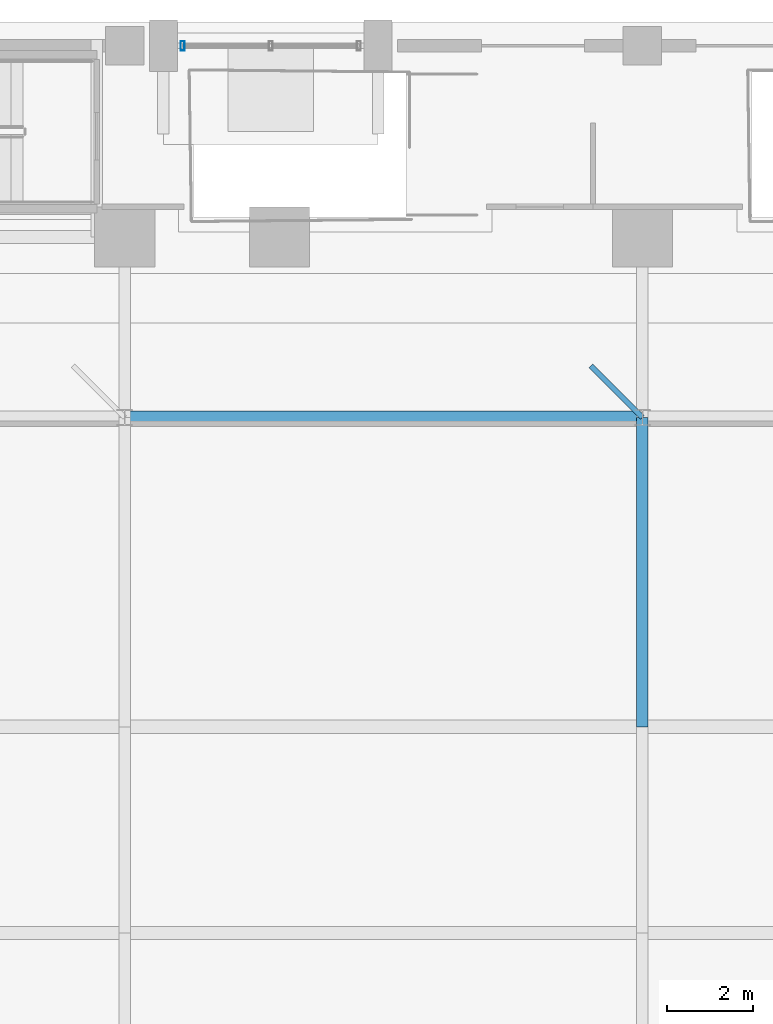
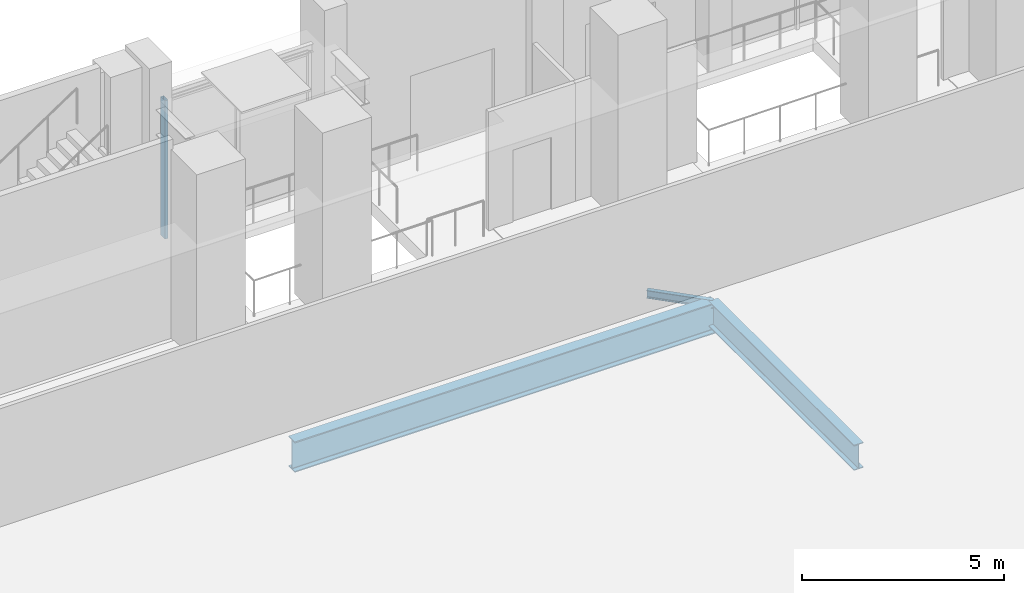
# One storey, part 11 of 36: 3 beams, 1 member, 1 element without a shape of its own.
"""IFC4 building model written with IfcOpenShell, lengths in metres."""

from ifc_helpers import new_model, si_unit, direction, frame, origin, origin_2d, place, context, subcontext, project, spatial, hollow_rectangle, i_section, extrude, material, layer, layer_set, material_profile, profile_set, type_object, element, aggregate, save


model = new_model("IFC4")

# Units and contexts
model_context = context("Model", 3, precision=1e-05, world=origin(), true_north=direction((0.0, 1.0)))
body_context = subcontext(model_context, "Body", "Model", "MODEL_VIEW")
ifc_project = project(units=[si_unit("LENGTHUNIT", "METRE"), si_unit("AREAUNIT", "SQUARE_METRE"), si_unit("VOLUMEUNIT", "CUBIC_METRE"), si_unit("PLANEANGLEUNIT", "RADIAN"), si_unit("MASSUNIT", "GRAM", prefix="KILO")], contexts=[model_context])

# Site, building, storey
site_placement = place(None, origin())
site = spatial("IfcSite", under=ifc_project, at=site_placement, CompositionType="ELEMENT")
building_placement = place(site_placement, origin())
building = spatial("IfcBuilding", under=site, at=building_placement, Name="Ndaravel Arena Tower", CompositionType="ELEMENT")
storey_placement = place(building_placement, origin())
storey = spatial("IfcBuildingStorey", under=building, at=storey_placement, Name="L00", CompositionType="ELEMENT", Elevation=0.0)

# Beams
ifc_material_1 = material(Name="Steel S355", Category="steel")
ifc_material_profile_1 = material_profile(ifc_material_1, i_section(OverallWidth=0.1201171875, OverallDepth=0.239990234375, WebThickness=0.006103515625, FlangeThickness=0.009765625, FilletRadius=0.014892578125, at=origin_2d()), Name="IPE 240")
ifc_profile_set_1 = profile_set([ifc_material_profile_1], Name="Steel S355")
beam_type_1 = type_object("IfcBeamType", Name="BM-LINTEL-IPE240", PredefinedType="LINTEL", material=ifc_profile_set_1)
beam_1_placement = place(storey_placement, frame((42.64990234375, 38.800048828125, -0.52001953125), z_axis=(-0.707106781187, 0.707106781187, 0.0), x_axis=(-0.707106781187, -0.707106781187, 0.0)))
element("IfcBeam", 1, at=beam_1_placement, inside=storey, type_object=beam_type_1, Name="L00 North Stand Cradle Arm 2", PredefinedType="LINTEL", context=body_context, shape_type="SweptSolid", body=[
    extrude(i_section(OverallWidth=0.1201171875, OverallDepth=0.239990234375, WebThickness=0.006103515625, FlangeThickness=0.009765625, FilletRadius=0.014892578125, at=origin_2d()), origin(), (0.0, 0.0, 1.0), 1.697021484375),
])
ifc_material_2 = material(Name="Steel S355", Category="steel")
ifc_material_profile_2 = material_profile(ifc_material_2, i_section(OverallWidth=0.26806640625, OverallDepth=0.769775390625, WebThickness=0.015625, FlangeThickness=0.025390625, FilletRadius=0.0166015625, at=origin_2d()), Name="UB 762x267x197")
ifc_profile_set_2 = profile_set([ifc_material_profile_2], Name="Steel S355")
beam_type_2 = type_object("IfcBeamType", Name="BM-POD-UB762", PredefinedType="BEAM", material=ifc_profile_set_2)
beam_2_placement = place(storey_placement, frame((42.64990234375, 31.60009765625, -0.784912109375), z_axis=(0.0, 1.0, 0.0), x_axis=(-1.0, 0.0, 0.0)))
element("IfcBeam", 2, at=beam_2_placement, inside=storey, type_object=beam_type_2, Name="L00 Sub-Court Tie 3.31", PredefinedType="BEAM", context=body_context, shape_type="SweptSolid", body=[
    extrude(i_section(OverallWidth=0.26806640625, OverallDepth=0.769775390625, WebThickness=0.015625, FlangeThickness=0.025390625, FilletRadius=0.0166015625, at=origin_2d()), origin(), (0.0, 0.0, 1.0), 7.199951171875),
])
ifc_material_3 = material(Name="Steel S355", Category="steel")
ifc_material_profile_3 = material_profile(ifc_material_3, i_section(OverallWidth=0.3076171875, OverallDepth=0.926513671875, WebThickness=0.01953125, FlangeThickness=0.031982421875, FilletRadius=0.01904296875, at=origin_2d()), Name="UB 914x305x289")
ifc_profile_set_3 = profile_set([ifc_material_profile_3], Name="Steel S355")
beam_type_3 = type_object("IfcBeamType", Name="BM-POD-UB914B", PredefinedType="BEAM", material=ifc_profile_set_3)
beam_3_placement = place(storey_placement, frame((30.60009765625, 38.800048828125, -0.86328125), z_axis=(1.0, 0.0, 0.0), x_axis=(0.0, 1.0, 0.0)))
element("IfcBeam", 3, at=beam_3_placement, inside=storey, type_object=beam_type_3, Name="L00 Sub-Court Girder 4.3", PredefinedType="BEAM", context=body_context, shape_type="SweptSolid", body=[
    extrude(i_section(OverallWidth=0.3076171875, OverallDepth=0.926513671875, WebThickness=0.01953125, FlangeThickness=0.031982421875, FilletRadius=0.01904296875, at=origin_2d()), origin(), (0.0, 0.0, 1.0), 12.0498046875),
])

# Curtain wall, member
ifc_material_4 = material(Name="Aluminium", Category="aluminium")
ifc_layer = layer(ifc_material_4, 0.179931640625)
ifc_layer_set = layer_set([ifc_layer], Name="Aluminium")
curtain_wall_type = type_object("IfcCurtainWallType", Name="CW-SYS-05", PredefinedType="NOTDEFINED", material=ifc_layer_set)
curtain_wall_placement = place(storey_placement, origin())
curtain_wall = element("IfcCurtainWall", 4, at=curtain_wall_placement, inside=storey, type_object=curtain_wall_type, Name="L00 North Plaza Storefront CW-L00-NF-1", PredefinedType="NOTDEFINED")
ifc_material_5 = material(Name="Aluminium", Category="aluminium")
ifc_material_profile_4 = material_profile(ifc_material_5, hollow_rectangle(XDim=0.090087890625, YDim=0.219970703125, WallThickness=0.0048828125, at=origin_2d()), Name="CW MULLION 90x220x5")
ifc_profile_set_4 = profile_set([ifc_material_profile_4], Name="Aluminium")
member_type = type_object("IfcMemberType", Name="MEM-CW-MUL220", PredefinedType="MULLION", material=ifc_profile_set_4)
member_placement = place(storey_placement, frame((31.949951171875, 47.449951171875, 0.0), z_axis=(0.0, 0.0, 1.0), x_axis=(1.0, 0.0, 0.0)))
member = element("IfcMember", 5, at=member_placement, type_object=member_type, Name="CW-L00-NF-1 Mullion 00", PredefinedType="MULLION", context=body_context, shape_type="SweptSolid", body=[
    extrude(hollow_rectangle(XDim=0.090087890625, YDim=0.219970703125, WallThickness=0.0048828125, at=origin_2d()), origin(), (0.0, 0.0, 1.0), 4.179931640625),
])
aggregate(curtain_wall, [member])

save(model, "model.ifc")
